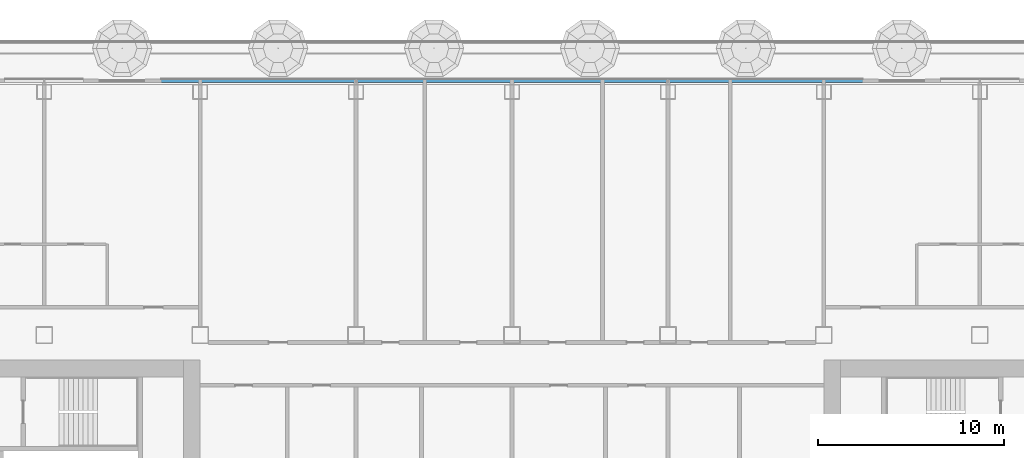
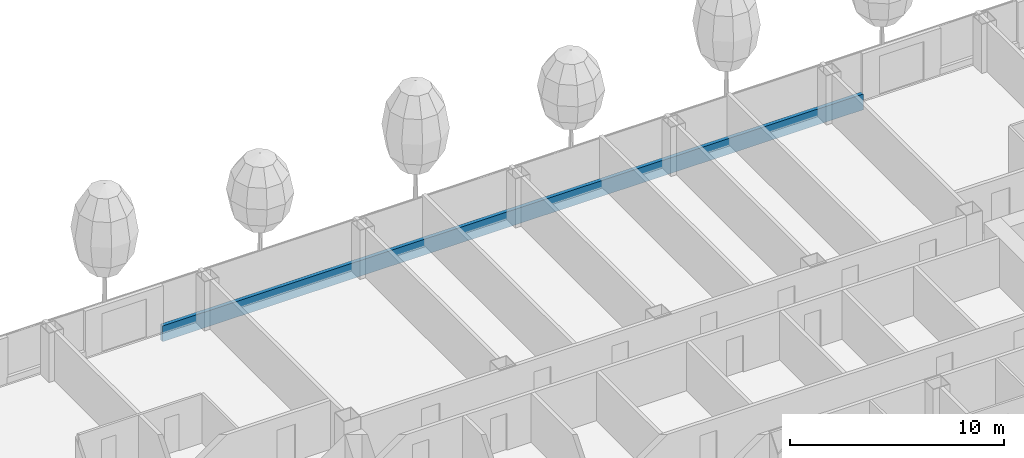
# One storey, part 7 of 34: 1 member, 1 element without a shape of its own.
"""IFC4 building model written with IfcOpenShell, lengths in metres."""

from ifc_helpers import new_model, si_unit, direction, frame, origin, origin_2d, place, context, subcontext, project, spatial, rectangle, extrude, material, layer, layer_set, material_profile, profile_set, type_object, element, aggregate, save


model = new_model("IFC4")

# Units and contexts
model_context = context("Model", 3, precision=1e-05, world=origin(), true_north=direction((0.0, 1.0)))
body_context = subcontext(model_context, "Body", "Model", "MODEL_VIEW")
ifc_project = project(units=[si_unit("LENGTHUNIT", "METRE"), si_unit("AREAUNIT", "SQUARE_METRE"), si_unit("VOLUMEUNIT", "CUBIC_METRE"), si_unit("PLANEANGLEUNIT", "RADIAN"), si_unit("MASSUNIT", "GRAM", prefix="KILO")], contexts=[model_context])

# Site, building, storey
site_placement = place(None, origin())
site = spatial("IfcSite", under=ifc_project, at=site_placement, CompositionType="ELEMENT")
building_placement = place(site_placement, origin())
building = spatial("IfcBuilding", under=site, at=building_placement, Name="Hakoniwa Tower and Hamabe Station Hall", CompositionType="ELEMENT")
storey_placement = place(building_placement, frame((0.0, 0.0, 107.39990234375)))
storey = spatial("IfcBuildingStorey", under=building, at=storey_placement, Name="L30", CompositionType="ELEMENT", Elevation=107.39990234375)

# Curtain wall, member
ifc_material_1 = material(Name="Dark low-e laminated glass", Category="glass")
ifc_layer = layer(ifc_material_1, 0.199951171875)
ifc_layer_set = layer_set([ifc_layer], Name="CW-1 UNITISED GUEST")
curtain_wall_type = type_object("IfcCurtainWallType", Name="CW-1 UNITISED GUEST", PredefinedType="NOTDEFINED", material=ifc_layer_set)
curtain_wall_placement = place(storey_placement, origin())
curtain_wall = element("IfcCurtainWall", 1, at=curtain_wall_placement, inside=storey, type_object=curtain_wall_type, Name="CW-1 curtain wall", PredefinedType="NOTDEFINED")
ifc_material_2 = material(Name="Aluminium 6063-T5 black anodised", Category="aluminium")
ifc_material_profile = material_profile(ifc_material_2, rectangle(XDim=0.199951171875, YDim=0.89990234375, at=origin_2d()), Name="CW SLAB-EDGE BAND 900X200")
ifc_profile_set = profile_set([ifc_material_profile], Name="Aluminium 6063-T5 black anodised")
member_type = type_object("IfcMemberType", Name="CW SLAB-EDGE BAND 900X200", PredefinedType="USERDEFINED", material=ifc_profile_set)
member_placement = place(storey_placement, frame((18.929931640625, 23.449951171875, -0.099853515625), z_axis=(-1.0, 0.0, 0.0), x_axis=(0.0, -1.0, 0.0)))
member = element("IfcMember", 2, at=member_placement, type_object=member_type, Name="CW-1 transom", ObjectType="TRANSOM", PredefinedType="USERDEFINED", context=body_context, shape_type="SweptSolid", body=[
    extrude(rectangle(XDim=0.199951171875, YDim=0.89990234375, at=origin_2d()), origin(), (0.0, 0.0, 1.0), 37.85986328125),
])
aggregate(curtain_wall, [member])

save(model, "model.ifc")
